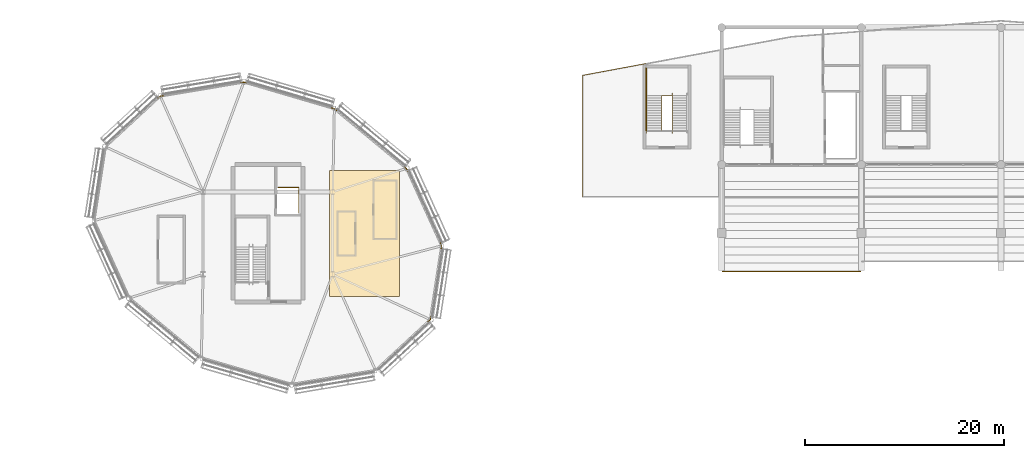
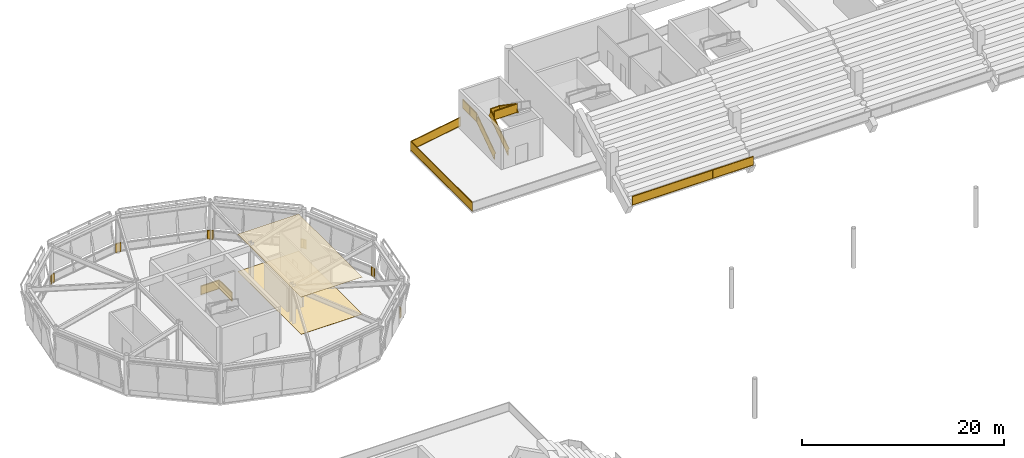
# One storey, part 90 of 94: 12 railings, 2 coverings.
"""IFC4 building model written with IfcOpenShell, lengths in metres."""

from ifc_helpers import new_model, si_unit, direction, frame, origin, origin_2d, place, context, subcontext, project, spatial, polyline, rectangle, outline, extrude, material, layer, layer_set, type_object, element, save


model = new_model("IFC4")

# Units and contexts
model_context = context("Model", 3, precision=1e-05, world=origin(), true_north=direction((0.0, 1.0)))
body_context = subcontext(model_context, "Body", "Model", "MODEL_VIEW")
ifc_project = project(units=[si_unit("LENGTHUNIT", "METRE"), si_unit("AREAUNIT", "SQUARE_METRE"), si_unit("VOLUMEUNIT", "CUBIC_METRE"), si_unit("PLANEANGLEUNIT", "RADIAN"), si_unit("MASSUNIT", "GRAM", prefix="KILO")], contexts=[model_context])

# Site, building, storey
site_placement = place(None, origin())
site = spatial("IfcSite", under=ifc_project, at=site_placement, CompositionType="ELEMENT")
building_placement = place(site_placement, origin())
building = spatial("IfcBuilding", under=site, at=building_placement, Name="Linyun Crest Stadium", CompositionType="ELEMENT")
storey_placement = place(building_placement, frame((0.0, 0.0, 16.199951171875)))
storey = spatial("IfcBuildingStorey", under=building, at=storey_placement, Name="L04", CompositionType="ELEMENT", Elevation=16.199951171875)

# Coverings
ifc_material_1 = material(Name="Anodized aluminium baffle acoustic ceiling", Category="aluminium")
ifc_layer_1 = layer(ifc_material_1, 0.030029296875)
ifc_layer_set_1 = layer_set([ifc_layer_1], Name="Anodized aluminium baffle acoustic ceiling")
covering_type_1 = type_object("IfcCoveringType", Name="CLG02", PredefinedType="CEILING", material=ifc_layer_set_1)
covering_1_placement = place(storey_placement, frame((0.0, 0.0, 4.489990234375)))
element("IfcCovering", 1, at=covering_1_placement, inside=storey, type_object=covering_type_1, Name="Suspended acoustic ceiling CLG02 46", PredefinedType="CEILING", context=body_context, shape_type="SweptSolid", body=[
    extrude(outline(polyline([(-67.300048828125, 78.300048828125), (-60.300048828125, 78.300048828125), (-60.300048828125, 90.89990234375), (-67.300048828125, 90.89990234375), (-67.300048828125, 78.300048828125)])), origin(), (0.0, 0.0, 1.0), 0.030029296875),
])
ifc_material_2 = material(Name="Terrazzo concourse and hospitality floor finish")
ifc_layer_2 = layer(ifc_material_2, 0.02197265625)
ifc_layer_set_2 = layer_set([ifc_layer_2], Name="Terrazzo concourse and hospitality floor finish")
covering_type_2 = type_object("IfcCoveringType", Name="FLR02", PredefinedType="FLOORING", material=ifc_layer_set_2)
covering_2_placement = place(storey_placement, origin())
element("IfcCovering", 2, at=covering_2_placement, inside=storey, type_object=covering_type_2, Name="Terrazzo flooring FLR02 45", PredefinedType="FLOORING", context=body_context, shape_type="SweptSolid", body=[
    extrude(outline(polyline([(-67.300048828125, 78.300048828125), (-60.300048828125, 78.300048828125), (-60.300048828125, 90.89990234375), (-67.300048828125, 90.89990234375), (-67.300048828125, 78.300048828125)])), origin(), (0.0, 0.0, 1.0), 0.02197265625),
])

# Railings
ifc_material_3 = material(Name="Galvanized and powder-coated steel bowl safety barrier", Category="steel")
railing_type_1 = type_object("IfcRailingType", Name="GR02", PredefinedType="GUARDRAIL", material=ifc_material_3)
railing_1_placement = place(storey_placement, frame((-27.919921875, 80.800048828125, 0.35009765625)))
element("IfcRailing", 3, at=railing_1_placement, inside=storey, type_object=railing_type_1, Name="Bowl front safety guard GR02 59", PredefinedType="GUARDRAIL", context=body_context, shape_type="SweptSolid", body=[
    extrude(rectangle(XDim=0.06005859375, YDim=0.06005859375, at=origin_2d()), frame((0.0, 0.0, 1.090087890625), z_axis=(1.0, 0.0, 0.0), x_axis=(0.0, 1.0, 0.0)), (0.0, 0.0, 1.0), 13.83984375),
    extrude(rectangle(XDim=0.030029296875, YDim=1.0, at=origin_2d()), frame((0.0, 0.0, 0.56005859375), z_axis=(1.0, 0.0, 0.0), x_axis=(0.0, 1.0, 0.0)), (0.0, 0.0, 1.0), 13.83984375),
    extrude(rectangle(XDim=0.06005859375, YDim=0.06005859375, at=origin_2d()), frame((0.0, 0.0, 0.030029296875), z_axis=(1.0, 0.0, 0.0), x_axis=(0.0, 1.0, 0.0)), (0.0, 0.0, 1.0), 13.83984375),
    extrude(rectangle(XDim=0.050048828125, YDim=0.050048828125, at=origin_2d()), origin(), (0.0, 0.0, 1.0), 1.1201171875),
    extrude(rectangle(XDim=0.050048828125, YDim=0.050048828125, at=origin_2d()), frame((2.306640625, 0.0, 0.0)), (0.0, 0.0, 1.0), 1.1201171875),
    extrude(rectangle(XDim=0.050048828125, YDim=0.050048828125, at=origin_2d()), frame((4.61328125, 0.0, 0.0)), (0.0, 0.0, 1.0), 1.1201171875),
    extrude(rectangle(XDim=0.050048828125, YDim=0.050048828125, at=origin_2d()), frame((6.919921875, 0.0, 0.0)), (0.0, 0.0, 1.0), 1.1201171875),
    extrude(rectangle(XDim=0.050048828125, YDim=0.050048828125, at=origin_2d()), frame((9.2265625, 0.0, 0.0)), (0.0, 0.0, 1.0), 1.1201171875),
    extrude(rectangle(XDim=0.050048828125, YDim=0.050048828125, at=origin_2d()), frame((11.533203125, 0.0, 0.0)), (0.0, 0.0, 1.0), 1.1201171875),
    extrude(rectangle(XDim=0.050048828125, YDim=0.050048828125, at=origin_2d()), frame((13.83984375, 0.0, 0.0)), (0.0, 0.0, 1.0), 1.1201171875),
])
railing_2_placement = place(storey_placement, frame((-41.93994140625, 88.260009765625, 0.0)))
element("IfcRailing", 4, at=railing_2_placement, inside=storey, type_object=railing_type_1, Name="Slab edge balustrade GR02 213", PredefinedType="GUARDRAIL", context=body_context, shape_type="SweptSolid", body=[
    extrude(rectangle(XDim=0.06005859375, YDim=0.06005859375, at=origin_2d()), frame((0.0, 0.0, 1.090087890625), z_axis=(0.0, 1.0, 0.0), x_axis=(-1.0, 0.0, 0.0)), (0.0, 0.0, 1.0), 12.18994140625),
    extrude(rectangle(XDim=0.030029296875, YDim=1.0, at=origin_2d()), frame((0.0, 0.0, 0.56005859375), z_axis=(0.0, 1.0, 0.0), x_axis=(-1.0, 0.0, 0.0)), (0.0, 0.0, 1.0), 12.18994140625),
    extrude(rectangle(XDim=0.06005859375, YDim=0.06005859375, at=origin_2d()), frame((0.0, 0.0, 0.030029296875), z_axis=(0.0, 1.0, 0.0), x_axis=(-1.0, 0.0, 0.0)), (0.0, 0.0, 1.0), 12.18994140625),
    extrude(rectangle(XDim=0.06005859375, YDim=0.06005859375, at=origin_2d()), frame((0.0, 12.18994140625, 1.090087890625), z_axis=(0.983172613902, 0.182678984214, 0.0), x_axis=(-0.182678984214, 0.983172613902, 0.0)), (0.0, 0.0, 1.0), 6.4482421875),
    extrude(rectangle(XDim=0.030029296875, YDim=1.0, at=origin_2d()), frame((0.0, 12.18994140625, 0.56005859375), z_axis=(0.983172613902, 0.182678984214, 0.0), x_axis=(-0.182678984214, 0.983172613902, 0.0)), (0.0, 0.0, 1.0), 6.4482421875),
    extrude(rectangle(XDim=0.06005859375, YDim=0.06005859375, at=origin_2d()), frame((0.0, 12.18994140625, 0.030029296875), z_axis=(0.983172613902, 0.182678984214, 0.0), x_axis=(-0.182678984214, 0.983172613902, 0.0)), (0.0, 0.0, 1.0), 6.4482421875),
    extrude(rectangle(XDim=0.050048828125, YDim=0.050048828125, at=origin_2d()), origin(), (0.0, 0.0, 1.0), 1.1201171875),
    extrude(rectangle(XDim=0.050048828125, YDim=0.050048828125, at=origin_2d()), frame((0.0, 4.063232421875, 0.0)), (0.0, 0.0, 1.0), 1.1201171875),
    extrude(rectangle(XDim=0.050048828125, YDim=0.050048828125, at=origin_2d()), frame((0.0, 8.126708984375, 0.0)), (0.0, 0.0, 1.0), 1.1201171875),
    extrude(rectangle(XDim=0.050048828125, YDim=0.050048828125, at=origin_2d()), frame((0.0, 12.18994140625, 0.0)), (0.0, 0.0, 1.0), 1.1201171875),
    extrude(rectangle(XDim=0.050048828125, YDim=0.050048828125, at=origin_2d()), frame((3.169921875, 12.77880859375, 0.0)), (0.0, 0.0, 1.0), 1.1201171875),
    extrude(rectangle(XDim=0.050048828125, YDim=0.050048828125, at=origin_2d()), frame((6.33984375, 13.367919921875, 0.0)), (0.0, 0.0, 1.0), 1.1201171875),
])
railing_3_placement = place(storey_placement, frame((-57.220947265625, 75.969970703125, 0.0)))
element("IfcRailing", 5, at=railing_3_placement, inside=storey, type_object=railing_type_1, Name="Slab edge balustrade GR02 286", PredefinedType="GUARDRAIL", context=body_context, shape_type="SweptSolid", body=[
    extrude(rectangle(XDim=0.06005859375, YDim=0.06005859375, at=origin_2d()), frame((0.0, 0.0, 1.090087890625), z_axis=(-0.733663907779, -0.67951252411, 0.0), x_axis=(0.67951252411, -0.733663907779, 0.0)), (0.0, 0.0, 1.0), 0.279541015625),
    extrude(rectangle(XDim=0.030029296875, YDim=1.0, at=origin_2d()), frame((0.0, 0.0, 0.56005859375), z_axis=(-0.733663907779, -0.67951252411, 0.0), x_axis=(0.67951252411, -0.733663907779, 0.0)), (0.0, 0.0, 1.0), 0.279541015625),
    extrude(rectangle(XDim=0.06005859375, YDim=0.06005859375, at=origin_2d()), frame((0.0, 0.0, 0.030029296875), z_axis=(-0.733663907779, -0.67951252411, 0.0), x_axis=(0.67951252411, -0.733663907779, 0.0)), (0.0, 0.0, 1.0), 0.279541015625),
    extrude(rectangle(XDim=0.050048828125, YDim=0.050048828125, at=origin_2d()), origin(), (0.0, 0.0, 1.0), 1.1201171875),
    extrude(rectangle(XDim=0.050048828125, YDim=0.050048828125, at=origin_2d()), frame((-0.205078125, -0.18994140625, 0.0)), (0.0, 0.0, 1.0), 1.1201171875),
])
railing_4_placement = place(storey_placement, frame((-84.492919921875, 98.16796875, 0.0)))
element("IfcRailing", 6, at=railing_4_placement, inside=storey, type_object=railing_type_1, Name="Slab edge balustrade GR02 293", PredefinedType="GUARDRAIL", context=body_context, shape_type="SweptSolid", body=[
    extrude(rectangle(XDim=0.06005859375, YDim=0.06005859375, at=origin_2d()), frame((0.0, 0.0, 1.090087890625), z_axis=(0.734572019785, 0.678530727196, 0.0), x_axis=(-0.678530727196, 0.734572019785, 0.0)), (0.0, 0.0, 1.0), 0.283203125),
    extrude(rectangle(XDim=0.030029296875, YDim=1.0, at=origin_2d()), frame((0.0, 0.0, 0.56005859375), z_axis=(0.734572019785, 0.678530727196, 0.0), x_axis=(-0.678530727196, 0.734572019785, 0.0)), (0.0, 0.0, 1.0), 0.283203125),
    extrude(rectangle(XDim=0.06005859375, YDim=0.06005859375, at=origin_2d()), frame((0.0, 0.0, 0.030029296875), z_axis=(0.734572019785, 0.678530727196, 0.0), x_axis=(-0.678530727196, 0.734572019785, 0.0)), (0.0, 0.0, 1.0), 0.283203125),
    extrude(rectangle(XDim=0.06005859375, YDim=0.06005859375, at=origin_2d()), frame((0.2080078125, 0.192138671875, 1.090087890625), z_axis=(0.986627241764, 0.1629929011, 0.0), x_axis=(-0.1629929011, 0.986627241764, 0.0)), (0.0, 0.0, 1.0), 0.281494140625),
    extrude(rectangle(XDim=0.030029296875, YDim=1.0, at=origin_2d()), frame((0.2080078125, 0.192138671875, 0.56005859375), z_axis=(0.986627241764, 0.1629929011, 0.0), x_axis=(-0.1629929011, 0.986627241764, 0.0)), (0.0, 0.0, 1.0), 0.281494140625),
    extrude(rectangle(XDim=0.06005859375, YDim=0.06005859375, at=origin_2d()), frame((0.2080078125, 0.192138671875, 0.030029296875), z_axis=(0.986627241764, 0.1629929011, 0.0), x_axis=(-0.1629929011, 0.986627241764, 0.0)), (0.0, 0.0, 1.0), 0.281494140625),
    extrude(rectangle(XDim=0.050048828125, YDim=0.050048828125, at=origin_2d()), origin(), (0.0, 0.0, 1.0), 1.1201171875),
    extrude(rectangle(XDim=0.050048828125, YDim=0.050048828125, at=origin_2d()), frame((0.2080078125, 0.192138671875, 0.0)), (0.0, 0.0, 1.0), 1.1201171875),
    extrude(rectangle(XDim=0.050048828125, YDim=0.050048828125, at=origin_2d()), frame((0.48583984375, 0.238037109375, 0.0)), (0.0, 0.0, 1.0), 1.1201171875),
])
railing_5_placement = place(storey_placement, frame((-76.179931640625, 99.717041015625, 0.0)))
element("IfcRailing", 7, at=railing_5_placement, inside=storey, type_object=railing_type_1, Name="Slab edge balustrade GR02 294", PredefinedType="GUARDRAIL", context=body_context, shape_type="SweptSolid", body=[
    extrude(rectangle(XDim=0.06005859375, YDim=0.06005859375, at=origin_2d()), frame((0.0, 0.0, 1.090087890625), z_axis=(0.985905166387, 0.167305119144, 0.0), x_axis=(-0.167305119144, 0.985905166387, 0.0)), (0.0, 0.0, 1.0), 0.2861328125),
    extrude(rectangle(XDim=0.030029296875, YDim=1.0, at=origin_2d()), frame((0.0, 0.0, 0.56005859375), z_axis=(0.985905166387, 0.167305119144, 0.0), x_axis=(-0.167305119144, 0.985905166387, 0.0)), (0.0, 0.0, 1.0), 0.2861328125),
    extrude(rectangle(XDim=0.06005859375, YDim=0.06005859375, at=origin_2d()), frame((0.0, 0.0, 0.030029296875), z_axis=(0.985905166387, 0.167305119144, 0.0), x_axis=(-0.167305119144, 0.985905166387, 0.0)), (0.0, 0.0, 1.0), 0.2861328125),
    extrude(rectangle(XDim=0.06005859375, YDim=0.06005859375, at=origin_2d()), frame((0.281982421875, 0.0478515625, 1.090087890625), z_axis=(0.959406194526, -0.282027931073, 0.0), x_axis=(0.282027931073, 0.959406194526, 0.0)), (0.0, 0.0, 1.0), 0.28662109375),
    extrude(rectangle(XDim=0.030029296875, YDim=1.0, at=origin_2d()), frame((0.281982421875, 0.0478515625, 0.56005859375), z_axis=(0.959406194526, -0.282027931073, 0.0), x_axis=(0.282027931073, 0.959406194526, 0.0)), (0.0, 0.0, 1.0), 0.28662109375),
    extrude(rectangle(XDim=0.06005859375, YDim=0.06005859375, at=origin_2d()), frame((0.281982421875, 0.0478515625, 0.030029296875), z_axis=(0.959406194526, -0.282027931073, 0.0), x_axis=(0.282027931073, 0.959406194526, 0.0)), (0.0, 0.0, 1.0), 0.28662109375),
    extrude(rectangle(XDim=0.050048828125, YDim=0.050048828125, at=origin_2d()), origin(), (0.0, 0.0, 1.0), 1.1201171875),
    extrude(rectangle(XDim=0.050048828125, YDim=0.050048828125, at=origin_2d()), frame((0.281982421875, 0.0478515625, 0.0)), (0.0, 0.0, 1.0), 1.1201171875),
    extrude(rectangle(XDim=0.050048828125, YDim=0.050048828125, at=origin_2d()), frame((0.556884765625, -0.032958984375, 0.0)), (0.0, 0.0, 1.0), 1.1201171875),
])
railing_6_placement = place(storey_placement, frame((-67.138916015625, 97.18994140625, 0.0)))
element("IfcRailing", 8, at=railing_6_placement, inside=storey, type_object=railing_type_1, Name="Slab edge balustrade GR02 295", PredefinedType="GUARDRAIL", context=body_context, shape_type="SweptSolid", body=[
    extrude(rectangle(XDim=0.06005859375, YDim=0.06005859375, at=origin_2d()), frame((0.0, 0.0, 1.090087890625), z_axis=(0.959446583049, -0.281890500506, 0.0), x_axis=(0.281890500506, 0.959446583049, 0.0)), (0.0, 0.0, 1.0), 0.28759765625),
    extrude(rectangle(XDim=0.030029296875, YDim=1.0, at=origin_2d()), frame((0.0, 0.0, 0.56005859375), z_axis=(0.959446583049, -0.281890500506, 0.0), x_axis=(0.281890500506, 0.959446583049, 0.0)), (0.0, 0.0, 1.0), 0.28759765625),
    extrude(rectangle(XDim=0.06005859375, YDim=0.06005859375, at=origin_2d()), frame((0.0, 0.0, 0.030029296875), z_axis=(0.959446583049, -0.281890500506, 0.0), x_axis=(0.281890500506, 0.959446583049, 0.0)), (0.0, 0.0, 1.0), 0.28759765625),
    extrude(rectangle(XDim=0.06005859375, YDim=0.06005859375, at=origin_2d()), frame((0.27587890625, -0.0810546875, 1.090087890625), z_axis=(0.771758653069, -0.635915545818, 0.0), x_axis=(0.635915545818, 0.771758653069, 0.0)), (0.0, 0.0, 1.0), 0.28759765625),
    extrude(rectangle(XDim=0.030029296875, YDim=1.0, at=origin_2d()), frame((0.27587890625, -0.0810546875, 0.56005859375), z_axis=(0.771758653069, -0.635915545818, 0.0), x_axis=(0.635915545818, 0.771758653069, 0.0)), (0.0, 0.0, 1.0), 0.28759765625),
    extrude(rectangle(XDim=0.06005859375, YDim=0.06005859375, at=origin_2d()), frame((0.27587890625, -0.0810546875, 0.030029296875), z_axis=(0.771758653069, -0.635915545818, 0.0), x_axis=(0.635915545818, 0.771758653069, 0.0)), (0.0, 0.0, 1.0), 0.28759765625),
    extrude(rectangle(XDim=0.050048828125, YDim=0.050048828125, at=origin_2d()), origin(), (0.0, 0.0, 1.0), 1.1201171875),
    extrude(rectangle(XDim=0.050048828125, YDim=0.050048828125, at=origin_2d()), frame((0.27587890625, -0.0810546875, 0.0)), (0.0, 0.0, 1.0), 1.1201171875),
    extrude(rectangle(XDim=0.050048828125, YDim=0.050048828125, at=origin_2d()), frame((0.497802734375, -0.263916015625, 0.0)), (0.0, 0.0, 1.0), 1.1201171875),
])
railing_7_placement = place(storey_placement, frame((-59.827880859375, 91.284912109375, 0.0)))
element("IfcRailing", 9, at=railing_7_placement, inside=storey, type_object=railing_type_1, Name="Slab edge balustrade GR02 296", PredefinedType="GUARDRAIL", context=body_context, shape_type="SweptSolid", body=[
    extrude(rectangle(XDim=0.06005859375, YDim=0.06005859375, at=origin_2d()), frame((0.0, 0.0, 1.090087890625), z_axis=(0.77066950633, -0.637235052404, 0.0), x_axis=(0.637235052404, 0.77066950633, 0.0)), (0.0, 0.0, 1.0), 0.285400390625),
    extrude(rectangle(XDim=0.030029296875, YDim=1.0, at=origin_2d()), frame((0.0, 0.0, 0.56005859375), z_axis=(0.77066950633, -0.637235052404, 0.0), x_axis=(0.637235052404, 0.77066950633, 0.0)), (0.0, 0.0, 1.0), 0.285400390625),
    extrude(rectangle(XDim=0.06005859375, YDim=0.06005859375, at=origin_2d()), frame((0.0, 0.0, 0.030029296875), z_axis=(0.77066950633, -0.637235052404, 0.0), x_axis=(0.637235052404, 0.77066950633, 0.0)), (0.0, 0.0, 1.0), 0.285400390625),
    extrude(rectangle(XDim=0.06005859375, YDim=0.06005859375, at=origin_2d()), frame((0.219970703125, -0.181884765625, 1.090087890625), z_axis=(0.414572445131, -0.910016311798, 0.0), x_axis=(0.910016311798, 0.414572445131, 0.0)), (0.0, 0.0, 1.0), 0.286865234375),
    extrude(rectangle(XDim=0.030029296875, YDim=1.0, at=origin_2d()), frame((0.219970703125, -0.181884765625, 0.56005859375), z_axis=(0.414572445131, -0.910016311798, 0.0), x_axis=(0.910016311798, 0.414572445131, 0.0)), (0.0, 0.0, 1.0), 0.286865234375),
    extrude(rectangle(XDim=0.06005859375, YDim=0.06005859375, at=origin_2d()), frame((0.219970703125, -0.181884765625, 0.030029296875), z_axis=(0.414572445131, -0.910016311798, 0.0), x_axis=(0.910016311798, 0.414572445131, 0.0)), (0.0, 0.0, 1.0), 0.286865234375),
    extrude(rectangle(XDim=0.050048828125, YDim=0.050048828125, at=origin_2d()), origin(), (0.0, 0.0, 1.0), 1.1201171875),
    extrude(rectangle(XDim=0.050048828125, YDim=0.050048828125, at=origin_2d()), frame((0.219970703125, -0.181884765625, 0.0)), (0.0, 0.0, 1.0), 1.1201171875),
    extrude(rectangle(XDim=0.050048828125, YDim=0.050048828125, at=origin_2d()), frame((0.3388671875, -0.44287109375, 0.0)), (0.0, 0.0, 1.0), 1.1201171875),
])
railing_8_placement = place(storey_placement, frame((-56.199951171875, 83.6201171875, 0.0)))
element("IfcRailing", 10, at=railing_8_placement, inside=storey, type_object=railing_type_1, Name="Slab edge balustrade GR02 297", PredefinedType="GUARDRAIL", context=body_context, shape_type="SweptSolid", body=[
    extrude(rectangle(XDim=0.06005859375, YDim=0.06005859375, at=origin_2d()), frame((0.0, 0.0, 1.090087890625), z_axis=(0.414063441435, -0.910248024698, 0.0), x_axis=(0.910248024698, 0.414063441435, 0.0)), (0.0, 0.0, 1.0), 0.282470703125),
    extrude(rectangle(XDim=0.030029296875, YDim=1.0, at=origin_2d()), frame((0.0, 0.0, 0.56005859375), z_axis=(0.414063441435, -0.910248024698, 0.0), x_axis=(0.910248024698, 0.414063441435, 0.0)), (0.0, 0.0, 1.0), 0.282470703125),
    extrude(rectangle(XDim=0.06005859375, YDim=0.06005859375, at=origin_2d()), frame((0.0, 0.0, 0.030029296875), z_axis=(0.414063441435, -0.910248024698, 0.0), x_axis=(0.910248024698, 0.414063441435, 0.0)), (0.0, 0.0, 1.0), 0.282470703125),
    extrude(rectangle(XDim=0.06005859375, YDim=0.06005859375, at=origin_2d()), frame((0.116943359375, -0.257080078125, 1.090087890625), z_axis=(-0.1521871378, -0.988351696052, 0.0), x_axis=(0.988351696052, -0.1521871378, 0.0)), (0.0, 0.0, 1.0), 0.2822265625),
    extrude(rectangle(XDim=0.030029296875, YDim=1.0, at=origin_2d()), frame((0.116943359375, -0.257080078125, 0.56005859375), z_axis=(-0.1521871378, -0.988351696052, 0.0), x_axis=(0.988351696052, -0.1521871378, 0.0)), (0.0, 0.0, 1.0), 0.2822265625),
    extrude(rectangle(XDim=0.06005859375, YDim=0.06005859375, at=origin_2d()), frame((0.116943359375, -0.257080078125, 0.030029296875), z_axis=(-0.1521871378, -0.988351696052, 0.0), x_axis=(0.988351696052, -0.1521871378, 0.0)), (0.0, 0.0, 1.0), 0.2822265625),
    extrude(rectangle(XDim=0.050048828125, YDim=0.050048828125, at=origin_2d()), origin(), (0.0, 0.0, 1.0), 1.1201171875),
    extrude(rectangle(XDim=0.050048828125, YDim=0.050048828125, at=origin_2d()), frame((0.116943359375, -0.257080078125, 0.0)), (0.0, 0.0, 1.0), 1.1201171875),
    extrude(rectangle(XDim=0.050048828125, YDim=0.050048828125, at=origin_2d()), frame((0.073974609375, -0.5361328125, 0.0)), (0.0, 0.0, 1.0), 1.1201171875),
])
railing_9_placement = place(storey_placement, frame((-57.178955078125, 76.24609375, 0.0)))
element("IfcRailing", 11, at=railing_9_placement, inside=storey, type_object=railing_type_1, Name="Slab edge balustrade GR02 298", PredefinedType="GUARDRAIL", context=body_context, shape_type="SweptSolid", body=[
    extrude(rectangle(XDim=0.06005859375, YDim=0.06005859375, at=origin_2d()), frame((0.0, 0.0, 1.090087890625), z_axis=(-0.150349133385, -0.988632964295, 0.0), x_axis=(0.988632964295, -0.150349133385, 0.0)), (0.0, 0.0, 1.0), 0.279296875),
    extrude(rectangle(XDim=0.030029296875, YDim=1.0, at=origin_2d()), frame((0.0, 0.0, 0.56005859375), z_axis=(-0.150349133385, -0.988632964295, 0.0), x_axis=(0.988632964295, -0.150349133385, 0.0)), (0.0, 0.0, 1.0), 0.279296875),
    extrude(rectangle(XDim=0.06005859375, YDim=0.06005859375, at=origin_2d()), frame((0.0, 0.0, 0.030029296875), z_axis=(-0.150349133385, -0.988632964295, 0.0), x_axis=(0.988632964295, -0.150349133385, 0.0)), (0.0, 0.0, 1.0), 0.279296875),
    extrude(rectangle(XDim=0.050048828125, YDim=0.050048828125, at=origin_2d()), origin(), (0.0, 0.0, 1.0), 1.1201171875),
    extrude(rectangle(XDim=0.050048828125, YDim=0.050048828125, at=origin_2d()), frame((-0.0419921875, -0.276123046875, 0.0)), (0.0, 0.0, 1.0), 1.1201171875),
])
railing_10_placement = place(storey_placement, frame((-70.389892578125, 86.68994140625, 0.0)))
element("IfcRailing", 12, at=railing_10_placement, inside=storey, type_object=railing_type_1, Name="Slab edge balustrade GR02 299", PredefinedType="GUARDRAIL", context=body_context, shape_type="SweptSolid", body=[
    extrude(rectangle(XDim=0.06005859375, YDim=0.06005859375, at=origin_2d()), frame((0.0, 0.0, 1.090087890625), z_axis=(0.0, 1.0, 0.0), x_axis=(-1.0, 0.0, 0.0)), (0.0, 0.0, 1.0), 2.52001953125),
    extrude(rectangle(XDim=0.030029296875, YDim=1.0, at=origin_2d()), frame((0.0, 0.0, 0.56005859375), z_axis=(0.0, 1.0, 0.0), x_axis=(-1.0, 0.0, 0.0)), (0.0, 0.0, 1.0), 2.52001953125),
    extrude(rectangle(XDim=0.06005859375, YDim=0.06005859375, at=origin_2d()), frame((0.0, 0.0, 0.030029296875), z_axis=(0.0, 1.0, 0.0), x_axis=(-1.0, 0.0, 0.0)), (0.0, 0.0, 1.0), 2.52001953125),
    extrude(rectangle(XDim=0.06005859375, YDim=0.06005859375, at=origin_2d()), frame((0.0, 2.52001953125, 1.090087890625), z_axis=(-1.0, 0.0, 0.0), x_axis=(0.0, -1.0, 0.0)), (0.0, 0.0, 1.0), 2.080078125),
    extrude(rectangle(XDim=0.030029296875, YDim=1.0, at=origin_2d()), frame((0.0, 2.52001953125, 0.56005859375), z_axis=(-1.0, 0.0, 0.0), x_axis=(0.0, -1.0, 0.0)), (0.0, 0.0, 1.0), 2.080078125),
    extrude(rectangle(XDim=0.06005859375, YDim=0.06005859375, at=origin_2d()), frame((0.0, 2.52001953125, 0.030029296875), z_axis=(-1.0, 0.0, 0.0), x_axis=(0.0, -1.0, 0.0)), (0.0, 0.0, 1.0), 2.080078125),
    extrude(rectangle(XDim=0.050048828125, YDim=0.050048828125, at=origin_2d()), origin(), (0.0, 0.0, 1.0), 1.1201171875),
    extrude(rectangle(XDim=0.050048828125, YDim=0.050048828125, at=origin_2d()), frame((0.0, 2.52001953125, 0.0)), (0.0, 0.0, 1.0), 1.1201171875),
    extrude(rectangle(XDim=0.050048828125, YDim=0.050048828125, at=origin_2d()), frame((-2.080078125, 2.52001953125, 0.0)), (0.0, 0.0, 1.0), 1.1201171875),
])
ifc_material_4 = material(Name="Painted steel stairwell safety guard", Category="steel")
railing_type_2 = type_object("IfcRailingType", Name="GR03", PredefinedType="GUARDRAIL", material=ifc_material_4)
railing_11_placement = place(storey_placement, frame((-35.570068359375, 94.919921875, 0.0)))
element("IfcRailing", 13, at=railing_11_placement, inside=storey, type_object=railing_type_2, Name="STR-23-L04 outer guard", PredefinedType="GUARDRAIL", context=body_context, shape_type="SweptSolid", body=[
    extrude(rectangle(XDim=0.06005859375, YDim=0.06005859375, at=origin_2d()), frame((0.0, 0.0, 1.090087890625), z_axis=(0.0, 0.824712752785, 0.565551832633), x_axis=(-1.0, 0.0, 0.0)), (0.0, 0.0, 1.0), 4.243896484375),
    extrude(rectangle(XDim=0.030029296875, YDim=1.0, at=origin_2d()), frame((0.0, 0.0, 0.56005859375), z_axis=(0.0, 0.824712752785, 0.565551832633), x_axis=(-1.0, 0.0, 0.0)), (0.0, 0.0, 1.0), 4.243896484375),
    extrude(rectangle(XDim=0.06005859375, YDim=0.06005859375, at=origin_2d()), frame((0.0, 0.0, 0.030029296875), z_axis=(0.0, 0.824712752785, 0.565551832633), x_axis=(-1.0, 0.0, 0.0)), (0.0, 0.0, 1.0), 4.243896484375),
    extrude(rectangle(XDim=0.06005859375, YDim=0.06005859375, at=origin_2d()), frame((0.0, 3.5, 3.490234375), z_axis=(0.0, 1.0, 0.0), x_axis=(-1.0, 0.0, 0.0)), (0.0, 0.0, 1.0), 2.75),
    extrude(rectangle(XDim=0.030029296875, YDim=1.0, at=origin_2d()), frame((0.0, 3.5, 2.960205078125), z_axis=(0.0, 1.0, 0.0), x_axis=(-1.0, 0.0, 0.0)), (0.0, 0.0, 1.0), 2.75),
    extrude(rectangle(XDim=0.06005859375, YDim=0.06005859375, at=origin_2d()), frame((0.0, 3.5, 2.43017578125), z_axis=(0.0, 1.0, 0.0), x_axis=(-1.0, 0.0, 0.0)), (0.0, 0.0, 1.0), 2.75),
    extrude(rectangle(XDim=0.050048828125, YDim=0.050048828125, at=origin_2d()), origin(), (0.0, 0.0, 1.0), 1.1201171875),
    extrude(rectangle(XDim=0.050048828125, YDim=0.050048828125, at=origin_2d()), frame((0.0, 1.166748046875, 0.800048828125)), (0.0, 0.0, 1.0), 1.1201171875),
    extrude(rectangle(XDim=0.050048828125, YDim=0.050048828125, at=origin_2d()), frame((0.0, 2.333251953125, 1.60009765625)), (0.0, 0.0, 1.0), 1.1201171875),
    extrude(rectangle(XDim=0.050048828125, YDim=0.050048828125, at=origin_2d()), frame((0.0, 3.5, 2.400146484375)), (0.0, 0.0, 1.0), 1.1201171875),
    extrude(rectangle(XDim=0.050048828125, YDim=0.050048828125, at=origin_2d()), frame((0.0, 4.875, 2.400146484375)), (0.0, 0.0, 1.0), 1.1201171875),
    extrude(rectangle(XDim=0.050048828125, YDim=0.050048828125, at=origin_2d()), frame((0.0, 6.25, 2.400146484375)), (0.0, 0.0, 1.0), 1.1201171875),
])
railing_12_placement = place(storey_placement, frame((-34.030029296875, 94.89990234375, 0.0)))
element("IfcRailing", 14, at=railing_12_placement, inside=storey, type_object=railing_type_2, Name="STR-23-L04 inner well guard", PredefinedType="GUARDRAIL", context=body_context, shape_type="SweptSolid", body=[
    extrude(rectangle(XDim=0.06005859375, YDim=0.06005859375, at=origin_2d()), frame((0.0, 0.0, 1.090087890625), z_axis=(0.0, 0.826212794201, 0.563358162005), x_axis=(-1.0, 0.0, 0.0)), (0.0, 0.0, 1.0), 4.260498046875),
    extrude(rectangle(XDim=0.030029296875, YDim=1.0, at=origin_2d()), frame((0.0, 0.0, 0.56005859375), z_axis=(0.0, 0.826212794201, 0.563358162005), x_axis=(-1.0, 0.0, 0.0)), (0.0, 0.0, 1.0), 4.260498046875),
    extrude(rectangle(XDim=0.06005859375, YDim=0.06005859375, at=origin_2d()), frame((0.0, 0.0, 0.030029296875), z_axis=(0.0, 0.826212794201, 0.563358162005), x_axis=(-1.0, 0.0, 0.0)), (0.0, 0.0, 1.0), 4.260498046875),
    extrude(rectangle(XDim=0.06005859375, YDim=0.06005859375, at=origin_2d()), frame((0.0, 3.52001953125, 3.490234375), z_axis=(1.0, 0.0, 0.0), x_axis=(0.0, 1.0, 0.0)), (0.0, 0.0, 1.0), 1.06005859375),
    extrude(rectangle(XDim=0.030029296875, YDim=1.0, at=origin_2d()), frame((0.0, 3.52001953125, 2.960205078125), z_axis=(1.0, 0.0, 0.0), x_axis=(0.0, 1.0, 0.0)), (0.0, 0.0, 1.0), 1.06005859375),
    extrude(rectangle(XDim=0.06005859375, YDim=0.06005859375, at=origin_2d()), frame((0.0, 3.52001953125, 2.43017578125), z_axis=(1.0, 0.0, 0.0), x_axis=(0.0, 1.0, 0.0)), (0.0, 0.0, 1.0), 1.06005859375),
    extrude(rectangle(XDim=0.06005859375, YDim=0.06005859375, at=origin_2d()), frame((1.06005859375, 3.52001953125, 3.490234375), z_axis=(0.0, -0.826239466617, 0.563319042644), x_axis=(1.0, 0.0, 0.0)), (0.0, 0.0, 1.0), 4.26025390625),
    extrude(rectangle(XDim=0.030029296875, YDim=1.0, at=origin_2d()), frame((1.06005859375, 3.52001953125, 2.960205078125), z_axis=(0.0, -0.826239466617, 0.563319042644), x_axis=(1.0, 0.0, 0.0)), (0.0, 0.0, 1.0), 4.26025390625),
    extrude(rectangle(XDim=0.06005859375, YDim=0.06005859375, at=origin_2d()), frame((1.06005859375, 3.52001953125, 2.43017578125), z_axis=(0.0, -0.826239466617, 0.563319042644), x_axis=(1.0, 0.0, 0.0)), (0.0, 0.0, 1.0), 4.26025390625),
    extrude(rectangle(XDim=0.06005859375, YDim=0.06005859375, at=origin_2d()), frame((1.06005859375, 0.0, 5.89013671875), z_axis=(-1.0, 0.0, 0.0), x_axis=(0.0, -1.0, 0.0)), (0.0, 0.0, 1.0), 2.610107421875),
    extrude(rectangle(XDim=0.030029296875, YDim=1.0, at=origin_2d()), frame((1.06005859375, 0.0, 5.360107421875), z_axis=(-1.0, 0.0, 0.0), x_axis=(0.0, -1.0, 0.0)), (0.0, 0.0, 1.0), 2.610107421875),
    extrude(rectangle(XDim=0.06005859375, YDim=0.06005859375, at=origin_2d()), frame((1.06005859375, 0.0, 4.830078125), z_axis=(-1.0, 0.0, 0.0), x_axis=(0.0, -1.0, 0.0)), (0.0, 0.0, 1.0), 2.610107421875),
    extrude(rectangle(XDim=0.050048828125, YDim=0.050048828125, at=origin_2d()), origin(), (0.0, 0.0, 1.0), 1.1201171875),
    extrude(rectangle(XDim=0.050048828125, YDim=0.050048828125, at=origin_2d()), frame((0.0, 1.17333984375, 0.800048828125)), (0.0, 0.0, 1.0), 1.1201171875),
    extrude(rectangle(XDim=0.050048828125, YDim=0.050048828125, at=origin_2d()), frame((0.0, 2.3466796875, 1.60009765625)), (0.0, 0.0, 1.0), 1.1201171875),
    extrude(rectangle(XDim=0.050048828125, YDim=0.050048828125, at=origin_2d()), frame((0.0, 3.52001953125, 2.400146484375)), (0.0, 0.0, 1.0), 1.1201171875),
    extrude(rectangle(XDim=0.050048828125, YDim=0.050048828125, at=origin_2d()), frame((1.06005859375, 3.52001953125, 2.400146484375)), (0.0, 0.0, 1.0), 1.1201171875),
    extrude(rectangle(XDim=0.050048828125, YDim=0.050048828125, at=origin_2d()), frame((1.06005859375, 2.3466796875, 3.2001953125)), (0.0, 0.0, 1.0), 1.1201171875),
    extrude(rectangle(XDim=0.050048828125, YDim=0.050048828125, at=origin_2d()), frame((1.06005859375, 1.17333984375, 4.0)), (0.0, 0.0, 1.0), 1.1201171875),
    extrude(rectangle(XDim=0.050048828125, YDim=0.050048828125, at=origin_2d()), frame((1.06005859375, 0.0, 4.800048828125)), (0.0, 0.0, 1.0), 1.1201171875),
    extrude(rectangle(XDim=0.050048828125, YDim=0.050048828125, at=origin_2d()), frame((-0.2451171875, 0.0, 4.800048828125)), (0.0, 0.0, 1.0), 1.1201171875),
    extrude(rectangle(XDim=0.050048828125, YDim=0.050048828125, at=origin_2d()), frame((-1.550048828125, 0.0, 4.800048828125)), (0.0, 0.0, 1.0), 1.1201171875),
])

save(model, "model.ifc")
